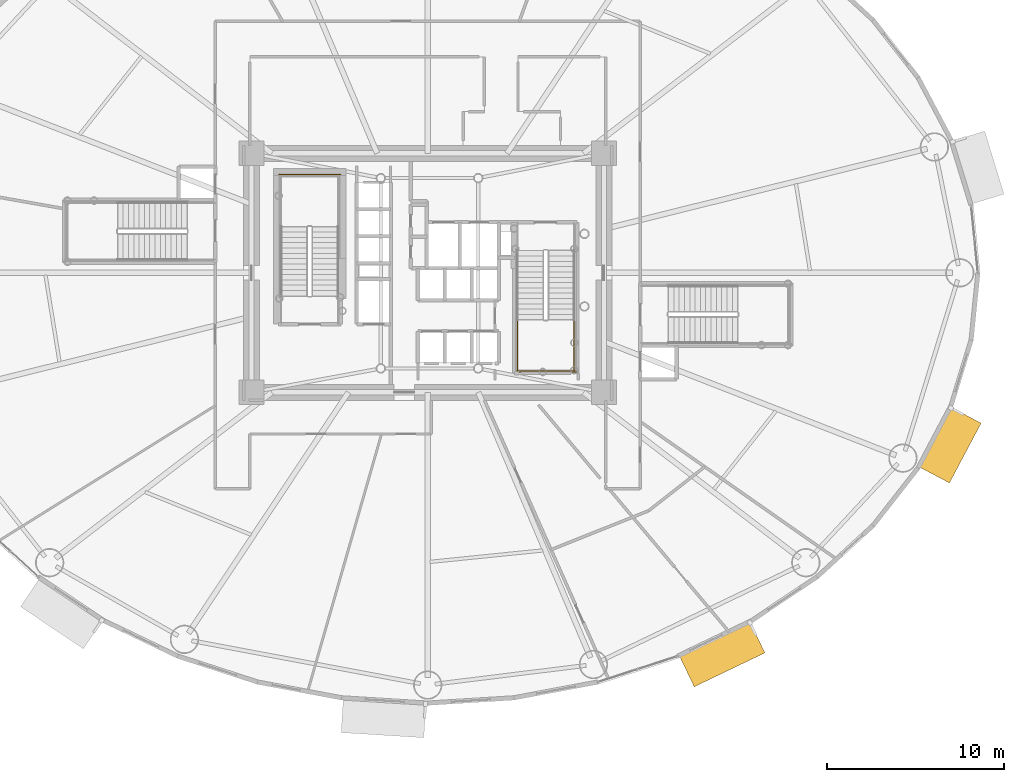
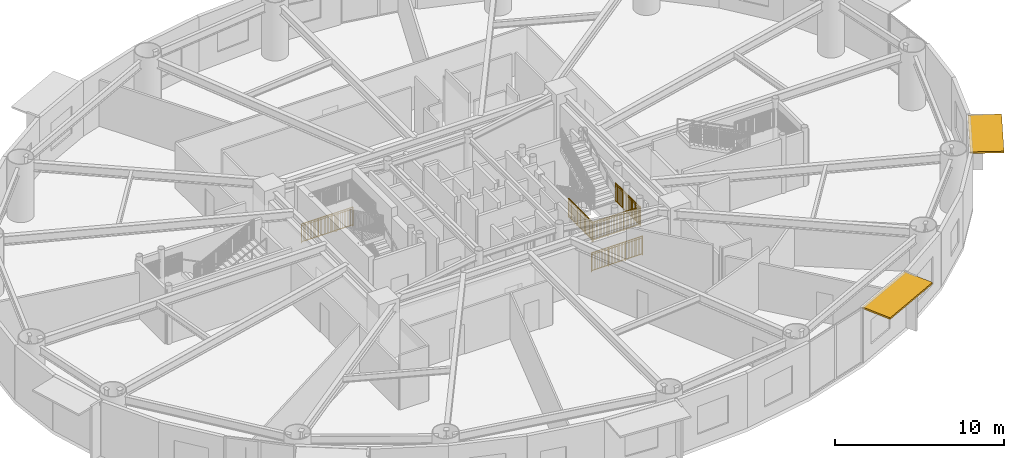
# One storey, part 23 of 28: 5 railings, 2 shading devices.
"""IFC4 building model written with IfcOpenShell, lengths in metres."""

from ifc_helpers import new_model, si_unit, direction, frame, origin, origin_2d, place, context, subcontext, project, spatial, rectangle, extrude, source, transform, mapped, material, layer, layer_set, type_object, element, save


model = new_model("IFC4")

# Units and contexts
model_context = context("Model", 3, precision=1e-05, world=origin(), true_north=direction((0.0, 1.0)))
body_context = subcontext(model_context, "Body", "Model", "MODEL_VIEW")
ifc_project = project(units=[si_unit("LENGTHUNIT", "METRE"), si_unit("AREAUNIT", "SQUARE_METRE"), si_unit("VOLUMEUNIT", "CUBIC_METRE"), si_unit("PLANEANGLEUNIT", "RADIAN"), si_unit("MASSUNIT", "GRAM", prefix="KILO")], contexts=[model_context])

# Site, building, storey
site_placement = place(None, origin())
site = spatial("IfcSite", under=ifc_project, at=site_placement, CompositionType="ELEMENT")
building_placement = place(site_placement, origin())
building = spatial("IfcBuilding", under=site, at=building_placement, Name="Linh Dai School and Residence Tower", CompositionType="ELEMENT")
storey_placement = place(building_placement, frame((0.0, 0.0, 36.60009765625)))
storey = spatial("IfcBuildingStorey", under=building, at=storey_placement, Name="L08", CompositionType="ELEMENT", Elevation=36.60009765625)

# Shading devices
ifc_material_1 = material(Name="Terracotta Ceramic Sunshade", Category="masonry")
ifc_layer = layer(ifc_material_1, 0.1201171875)
ifc_layer_set = layer_set([ifc_layer], Name="Terracotta Ceramic Sunshade")
shading_device_type = type_object("IfcShadingDeviceType", Name="SHD-TC-2000", PredefinedType="USERDEFINED", material=ifc_layer_set)
shared_shape_1 = source(origin(), body_context, "Body", "SweptSolid", [
    extrude(rectangle(XDim=4.428466796875, YDim=2.0, at=origin_2d()), origin(), (0.0, 0.0, 1.0), 0.1201171875),
])
shading_device_1_placement = place(storey_placement, frame((52.613037109375, 5.48095703125, 3.809814453125), z_axis=(0.0, 0.0, 1.0), x_axis=(-0.901584514626, -0.432603008528, 0.0)))
element("IfcShadingDevice", 1, at=shading_device_1_placement, inside=storey, type_object=shading_device_type, Name="L08 Terracotta Horizontal Sunshade Band 34", ObjectType="SUNSHADE", PredefinedType="USERDEFINED", context=body_context, shape_type="MappedRepresentation", body=[
    mapped(shared_shape_1, transform((0.0, 0.0, 0.0), x_axis=(1.0, 0.0, 0.0), y_axis=(0.0, 1.0, 0.0), z_axis=(0.0, 0.0, 1.0), scale=1.0)),
])
shared_shape_2 = source(origin(), body_context, "Body", "SweptSolid", [
    extrude(rectangle(XDim=3.824462890625, YDim=2.0, at=origin_2d()), origin(), (0.0, 0.0, 1.0), 0.1201171875),
])
shading_device_2_placement = place(storey_placement, frame((65.474609375, 17.2890625, 3.809814453125), z_axis=(0.0, 0.0, 1.0), x_axis=(-0.467611940042, -0.883933862645, 0.0)))
element("IfcShadingDevice", 2, at=shading_device_2_placement, inside=storey, type_object=shading_device_type, Name="L08 Terracotta Horizontal Sunshade Band 38", ObjectType="SUNSHADE", PredefinedType="USERDEFINED", context=body_context, shape_type="MappedRepresentation", body=[
    mapped(shared_shape_2, transform((0.0, 0.0, 0.0), x_axis=(1.0, 0.0, 0.0), y_axis=(0.0, 1.0, 0.0), z_axis=(0.0, 0.0, 1.0), scale=1.0)),
])

# Railings
ifc_material_2 = material(Name="Structural Steel S355JR", Category="steel")
railing_type = type_object("IfcRailingType", Name="RL-ST-GUARD-1400", PredefinedType="GUARDRAIL", material=ifc_material_2)
shared_shape_3 = source(origin(), body_context, "Body", "SweptSolid", [
    extrude(rectangle(XDim=0.048095703125, YDim=0.048095703125, at=origin_2d()), frame((0.0, 0.0, 1.3759765625), z_axis=(-1.0, 0.0, 0.0), x_axis=(0.0, -1.0, 0.0)), (0.0, 0.0, 1.0), 3.5),
    extrude(rectangle(XDim=0.048095703125, YDim=0.048095703125, at=origin_2d()), frame((0.0, 0.0, 0.10009765625), z_axis=(-1.0, 0.0, 0.0), x_axis=(0.0, -1.0, 0.0)), (0.0, 0.0, 1.0), 3.5),
    extrude(rectangle(XDim=0.030029296875, YDim=0.030029296875, at=origin_2d()), frame((0.0, 0.0, 1.239990234375), z_axis=(-1.0, 0.0, 0.0), x_axis=(0.0, -1.0, 0.0)), (0.0, 0.0, 1.0), 3.5),
    extrude(rectangle(XDim=0.02001953125, YDim=0.02001953125, at=origin_2d()), frame((-0.09716796875, 0.0, 0.10009765625)), (0.0, 0.0, 1.0), 1.251708984375),
    extrude(rectangle(XDim=0.02001953125, YDim=0.02001953125, at=origin_2d()), frame((-0.1943359375, 0.0, 0.10009765625)), (0.0, 0.0, 1.0), 1.251708984375),
    extrude(rectangle(XDim=0.02001953125, YDim=0.02001953125, at=origin_2d()), frame((-0.291748046875, 0.0, 0.10009765625)), (0.0, 0.0, 1.0), 1.251708984375),
    extrude(rectangle(XDim=0.02001953125, YDim=0.02001953125, at=origin_2d()), frame((-0.388916015625, 0.0, 0.10009765625)), (0.0, 0.0, 1.0), 1.251708984375),
    extrude(rectangle(XDim=0.02001953125, YDim=0.02001953125, at=origin_2d()), frame((-0.486083984375, 0.0, 0.10009765625)), (0.0, 0.0, 1.0), 1.251708984375),
    extrude(rectangle(XDim=0.02001953125, YDim=0.02001953125, at=origin_2d()), frame((-0.583251953125, 0.0, 0.10009765625)), (0.0, 0.0, 1.0), 1.251708984375),
    extrude(rectangle(XDim=0.02001953125, YDim=0.02001953125, at=origin_2d()), frame((-0.6806640625, 0.0, 0.10009765625)), (0.0, 0.0, 1.0), 1.251708984375),
    extrude(rectangle(XDim=0.02001953125, YDim=0.02001953125, at=origin_2d()), frame((-0.77783203125, 0.0, 0.10009765625)), (0.0, 0.0, 1.0), 1.251708984375),
    extrude(rectangle(XDim=0.02001953125, YDim=0.02001953125, at=origin_2d()), frame((-0.875, 0.0, 0.10009765625)), (0.0, 0.0, 1.0), 1.251708984375),
    extrude(rectangle(XDim=0.02001953125, YDim=0.02001953125, at=origin_2d()), frame((-0.97216796875, 0.0, 0.10009765625)), (0.0, 0.0, 1.0), 1.251708984375),
    extrude(rectangle(XDim=0.02001953125, YDim=0.02001953125, at=origin_2d()), frame((-1.0693359375, 0.0, 0.10009765625)), (0.0, 0.0, 1.0), 1.251708984375),
    extrude(rectangle(XDim=0.02001953125, YDim=0.02001953125, at=origin_2d()), frame((-1.263916015625, 0.0, 0.10009765625)), (0.0, 0.0, 1.0), 1.251708984375),
    extrude(rectangle(XDim=0.02001953125, YDim=0.02001953125, at=origin_2d()), frame((-1.361083984375, 0.0, 0.10009765625)), (0.0, 0.0, 1.0), 1.251708984375),
    extrude(rectangle(XDim=0.02001953125, YDim=0.02001953125, at=origin_2d()), frame((-1.458251953125, 0.0, 0.10009765625)), (0.0, 0.0, 1.0), 1.251708984375),
    extrude(rectangle(XDim=0.02001953125, YDim=0.02001953125, at=origin_2d()), frame((-1.5556640625, 0.0, 0.10009765625)), (0.0, 0.0, 1.0), 1.251708984375),
    extrude(rectangle(XDim=0.02001953125, YDim=0.02001953125, at=origin_2d()), frame((-1.65283203125, 0.0, 0.10009765625)), (0.0, 0.0, 1.0), 1.251708984375),
    extrude(rectangle(XDim=0.02001953125, YDim=0.02001953125, at=origin_2d()), frame((-1.75, 0.0, 0.10009765625)), (0.0, 0.0, 1.0), 1.251708984375),
    extrude(rectangle(XDim=0.02001953125, YDim=0.02001953125, at=origin_2d()), frame((-1.84716796875, 0.0, 0.10009765625)), (0.0, 0.0, 1.0), 1.251708984375),
    extrude(rectangle(XDim=0.02001953125, YDim=0.02001953125, at=origin_2d()), frame((-1.9443359375, 0.0, 0.10009765625)), (0.0, 0.0, 1.0), 1.251708984375),
    extrude(rectangle(XDim=0.02001953125, YDim=0.02001953125, at=origin_2d()), frame((-2.041748046875, 0.0, 0.10009765625)), (0.0, 0.0, 1.0), 1.251708984375),
    extrude(rectangle(XDim=0.02001953125, YDim=0.02001953125, at=origin_2d()), frame((-2.138916015625, 0.0, 0.10009765625)), (0.0, 0.0, 1.0), 1.251708984375),
    extrude(rectangle(XDim=0.02001953125, YDim=0.02001953125, at=origin_2d()), frame((-2.236083984375, 0.0, 0.10009765625)), (0.0, 0.0, 1.0), 1.251708984375),
    extrude(rectangle(XDim=0.02001953125, YDim=0.02001953125, at=origin_2d()), frame((-2.4306640625, 0.0, 0.10009765625)), (0.0, 0.0, 1.0), 1.251708984375),
    extrude(rectangle(XDim=0.02001953125, YDim=0.02001953125, at=origin_2d()), frame((-2.52783203125, 0.0, 0.10009765625)), (0.0, 0.0, 1.0), 1.251708984375),
    extrude(rectangle(XDim=0.02001953125, YDim=0.02001953125, at=origin_2d()), frame((-2.625, 0.0, 0.10009765625)), (0.0, 0.0, 1.0), 1.251708984375),
    extrude(rectangle(XDim=0.02001953125, YDim=0.02001953125, at=origin_2d()), frame((-2.72216796875, 0.0, 0.10009765625)), (0.0, 0.0, 1.0), 1.251708984375),
    extrude(rectangle(XDim=0.02001953125, YDim=0.02001953125, at=origin_2d()), frame((-2.8193359375, 0.0, 0.10009765625)), (0.0, 0.0, 1.0), 1.251708984375),
    extrude(rectangle(XDim=0.02001953125, YDim=0.02001953125, at=origin_2d()), frame((-2.916748046875, 0.0, 0.10009765625)), (0.0, 0.0, 1.0), 1.251708984375),
    extrude(rectangle(XDim=0.02001953125, YDim=0.02001953125, at=origin_2d()), frame((-3.013916015625, 0.0, 0.10009765625)), (0.0, 0.0, 1.0), 1.251708984375),
    extrude(rectangle(XDim=0.02001953125, YDim=0.02001953125, at=origin_2d()), frame((-3.111083984375, 0.0, 0.10009765625)), (0.0, 0.0, 1.0), 1.251708984375),
    extrude(rectangle(XDim=0.02001953125, YDim=0.02001953125, at=origin_2d()), frame((-3.208251953125, 0.0, 0.10009765625)), (0.0, 0.0, 1.0), 1.251708984375),
    extrude(rectangle(XDim=0.02001953125, YDim=0.02001953125, at=origin_2d()), frame((-3.3056640625, 0.0, 0.10009765625)), (0.0, 0.0, 1.0), 1.251708984375),
    extrude(rectangle(XDim=0.02001953125, YDim=0.02001953125, at=origin_2d()), frame((-3.40283203125, 0.0, 0.10009765625)), (0.0, 0.0, 1.0), 1.251708984375),
    extrude(rectangle(XDim=0.0419921875, YDim=0.0419921875, at=origin_2d()), origin(), (0.0, 0.0, 1.0), 1.3759765625),
    extrude(rectangle(XDim=0.0419921875, YDim=0.0419921875, at=origin_2d()), frame((-1.166748046875, 0.0, 0.0)), (0.0, 0.0, 1.0), 1.3759765625),
    extrude(rectangle(XDim=0.0419921875, YDim=0.0419921875, at=origin_2d()), frame((-2.333251953125, 0.0, 0.0)), (0.0, 0.0, 1.0), 1.3759765625),
    extrude(rectangle(XDim=0.0419921875, YDim=0.0419921875, at=origin_2d()), frame((-3.5, 0.0, 0.0)), (0.0, 0.0, 1.0), 1.3759765625),
])
railing_1_placement = place(storey_placement, frame((31.080078125, 32.550048828125, 0.0)))
element("IfcRailing", 3, at=railing_1_placement, inside=storey, type_object=railing_type, Name="L08 ST1 stair guard 12", PredefinedType="GUARDRAIL", context=body_context, shape_type="MappedRepresentation", body=[
    mapped(shared_shape_3, transform((0.0, 0.0, 0.0), x_axis=(1.0, 0.0, 0.0), y_axis=(0.0, 1.0, 0.0), z_axis=(0.0, 0.0, 1.0), scale=1.0)),
])
shared_shape_4 = source(origin(), body_context, "Body", "SweptSolid", [
    extrude(rectangle(XDim=0.048095703125, YDim=0.048095703125, at=origin_2d()), frame((0.0, 0.0, 1.3759765625), z_axis=(1.0, 0.0, 0.0), x_axis=(0.0, 1.0, 0.0)), (0.0, 0.0, 1.0), 3.300048828125),
    extrude(rectangle(XDim=0.048095703125, YDim=0.048095703125, at=origin_2d()), frame((0.0, 0.0, 0.10009765625), z_axis=(1.0, 0.0, 0.0), x_axis=(0.0, 1.0, 0.0)), (0.0, 0.0, 1.0), 3.300048828125),
    extrude(rectangle(XDim=0.030029296875, YDim=0.030029296875, at=origin_2d()), frame((0.0, 0.0, 1.239990234375), z_axis=(1.0, 0.0, 0.0), x_axis=(0.0, 1.0, 0.0)), (0.0, 0.0, 1.0), 3.300048828125),
    extrude(rectangle(XDim=0.02001953125, YDim=0.02001953125, at=origin_2d()), frame((0.09716796875, 0.0, 0.10009765625)), (0.0, 0.0, 1.0), 1.251708984375),
    extrude(rectangle(XDim=0.02001953125, YDim=0.02001953125, at=origin_2d()), frame((0.194091796875, 0.0, 0.10009765625)), (0.0, 0.0, 1.0), 1.251708984375),
    extrude(rectangle(XDim=0.02001953125, YDim=0.02001953125, at=origin_2d()), frame((0.291259765625, 0.0, 0.10009765625)), (0.0, 0.0, 1.0), 1.251708984375),
    extrude(rectangle(XDim=0.02001953125, YDim=0.02001953125, at=origin_2d()), frame((0.38818359375, 0.0, 0.10009765625)), (0.0, 0.0, 1.0), 1.251708984375),
    extrude(rectangle(XDim=0.02001953125, YDim=0.02001953125, at=origin_2d()), frame((0.4853515625, 0.0, 0.10009765625)), (0.0, 0.0, 1.0), 1.251708984375),
    extrude(rectangle(XDim=0.02001953125, YDim=0.02001953125, at=origin_2d()), frame((0.582275390625, 0.0, 0.10009765625)), (0.0, 0.0, 1.0), 1.251708984375),
    extrude(rectangle(XDim=0.02001953125, YDim=0.02001953125, at=origin_2d()), frame((0.679443359375, 0.0, 0.10009765625)), (0.0, 0.0, 1.0), 1.251708984375),
    extrude(rectangle(XDim=0.02001953125, YDim=0.02001953125, at=origin_2d()), frame((0.7763671875, 0.0, 0.10009765625)), (0.0, 0.0, 1.0), 1.251708984375),
    extrude(rectangle(XDim=0.02001953125, YDim=0.02001953125, at=origin_2d()), frame((0.87353515625, 0.0, 0.10009765625)), (0.0, 0.0, 1.0), 1.251708984375),
    extrude(rectangle(XDim=0.02001953125, YDim=0.02001953125, at=origin_2d()), frame((0.970703125, 0.0, 0.10009765625)), (0.0, 0.0, 1.0), 1.251708984375),
    extrude(rectangle(XDim=0.02001953125, YDim=0.02001953125, at=origin_2d()), frame((1.164794921875, 0.0, 0.10009765625)), (0.0, 0.0, 1.0), 1.251708984375),
    extrude(rectangle(XDim=0.02001953125, YDim=0.02001953125, at=origin_2d()), frame((1.26171875, 0.0, 0.10009765625)), (0.0, 0.0, 1.0), 1.251708984375),
    extrude(rectangle(XDim=0.02001953125, YDim=0.02001953125, at=origin_2d()), frame((1.35888671875, 0.0, 0.10009765625)), (0.0, 0.0, 1.0), 1.251708984375),
    extrude(rectangle(XDim=0.02001953125, YDim=0.02001953125, at=origin_2d()), frame((1.455810546875, 0.0, 0.10009765625)), (0.0, 0.0, 1.0), 1.251708984375),
    extrude(rectangle(XDim=0.02001953125, YDim=0.02001953125, at=origin_2d()), frame((1.552978515625, 0.0, 0.10009765625)), (0.0, 0.0, 1.0), 1.251708984375),
    extrude(rectangle(XDim=0.02001953125, YDim=0.02001953125, at=origin_2d()), frame((1.64990234375, 0.0, 0.10009765625)), (0.0, 0.0, 1.0), 1.251708984375),
    extrude(rectangle(XDim=0.02001953125, YDim=0.02001953125, at=origin_2d()), frame((1.7470703125, 0.0, 0.10009765625)), (0.0, 0.0, 1.0), 1.251708984375),
    extrude(rectangle(XDim=0.02001953125, YDim=0.02001953125, at=origin_2d()), frame((1.84423828125, 0.0, 0.10009765625)), (0.0, 0.0, 1.0), 1.251708984375),
    extrude(rectangle(XDim=0.02001953125, YDim=0.02001953125, at=origin_2d()), frame((1.941162109375, 0.0, 0.10009765625)), (0.0, 0.0, 1.0), 1.251708984375),
    extrude(rectangle(XDim=0.02001953125, YDim=0.02001953125, at=origin_2d()), frame((2.038330078125, 0.0, 0.10009765625)), (0.0, 0.0, 1.0), 1.251708984375),
    extrude(rectangle(XDim=0.02001953125, YDim=0.02001953125, at=origin_2d()), frame((2.13525390625, 0.0, 0.10009765625)), (0.0, 0.0, 1.0), 1.251708984375),
    extrude(rectangle(XDim=0.02001953125, YDim=0.02001953125, at=origin_2d()), frame((2.329345703125, 0.0, 0.10009765625)), (0.0, 0.0, 1.0), 1.251708984375),
    extrude(rectangle(XDim=0.02001953125, YDim=0.02001953125, at=origin_2d()), frame((2.426513671875, 0.0, 0.10009765625)), (0.0, 0.0, 1.0), 1.251708984375),
    extrude(rectangle(XDim=0.02001953125, YDim=0.02001953125, at=origin_2d()), frame((2.523681640625, 0.0, 0.10009765625)), (0.0, 0.0, 1.0), 1.251708984375),
    extrude(rectangle(XDim=0.02001953125, YDim=0.02001953125, at=origin_2d()), frame((2.62060546875, 0.0, 0.10009765625)), (0.0, 0.0, 1.0), 1.251708984375),
    extrude(rectangle(XDim=0.02001953125, YDim=0.02001953125, at=origin_2d()), frame((2.7177734375, 0.0, 0.10009765625)), (0.0, 0.0, 1.0), 1.251708984375),
    extrude(rectangle(XDim=0.02001953125, YDim=0.02001953125, at=origin_2d()), frame((2.814697265625, 0.0, 0.10009765625)), (0.0, 0.0, 1.0), 1.251708984375),
    extrude(rectangle(XDim=0.02001953125, YDim=0.02001953125, at=origin_2d()), frame((2.911865234375, 0.0, 0.10009765625)), (0.0, 0.0, 1.0), 1.251708984375),
    extrude(rectangle(XDim=0.02001953125, YDim=0.02001953125, at=origin_2d()), frame((3.0087890625, 0.0, 0.10009765625)), (0.0, 0.0, 1.0), 1.251708984375),
    extrude(rectangle(XDim=0.02001953125, YDim=0.02001953125, at=origin_2d()), frame((3.10595703125, 0.0, 0.10009765625)), (0.0, 0.0, 1.0), 1.251708984375),
    extrude(rectangle(XDim=0.02001953125, YDim=0.02001953125, at=origin_2d()), frame((3.202880859375, 0.0, 0.10009765625)), (0.0, 0.0, 1.0), 1.251708984375),
    extrude(rectangle(XDim=0.0419921875, YDim=0.0419921875, at=origin_2d()), origin(), (0.0, 0.0, 1.0), 1.3759765625),
    extrude(rectangle(XDim=0.0419921875, YDim=0.0419921875, at=origin_2d()), frame((1.10009765625, 0.0, 0.0)), (0.0, 0.0, 1.0), 1.3759765625),
    extrude(rectangle(XDim=0.0419921875, YDim=0.0419921875, at=origin_2d()), frame((2.199951171875, 0.0, 0.0)), (0.0, 0.0, 1.0), 1.3759765625),
    extrude(rectangle(XDim=0.0419921875, YDim=0.0419921875, at=origin_2d()), frame((3.300048828125, 0.0, 0.0)), (0.0, 0.0, 1.0), 1.3759765625),
])
railing_2_placement = place(storey_placement, frame((41.02001953125, 21.5, 2.099853515625)))
element("IfcRailing", 4, at=railing_2_placement, inside=storey, type_object=railing_type, Name="L08 ST2 stair guard 5", PredefinedType="GUARDRAIL", context=body_context, shape_type="MappedRepresentation", body=[
    mapped(shared_shape_4, transform((0.0, 0.0, 0.0), x_axis=(1.0, 0.0, 0.0), y_axis=(0.0, 1.0, 0.0), z_axis=(0.0, 0.0, 1.0), scale=1.0)),
])
shared_shape_5 = source(origin(), body_context, "Body", "SweptSolid", [
    extrude(rectangle(XDim=0.048095703125, YDim=0.048095703125, at=origin_2d()), frame((0.0, 0.0, 1.3759765625), z_axis=(1.0, 0.0, 0.0), x_axis=(0.0, 1.0, 0.0)), (0.0, 0.0, 1.0), 3.5),
    extrude(rectangle(XDim=0.048095703125, YDim=0.048095703125, at=origin_2d()), frame((0.0, 0.0, 0.10009765625), z_axis=(1.0, 0.0, 0.0), x_axis=(0.0, 1.0, 0.0)), (0.0, 0.0, 1.0), 3.5),
    extrude(rectangle(XDim=0.030029296875, YDim=0.030029296875, at=origin_2d()), frame((0.0, 0.0, 1.239990234375), z_axis=(1.0, 0.0, 0.0), x_axis=(0.0, 1.0, 0.0)), (0.0, 0.0, 1.0), 3.5),
    extrude(rectangle(XDim=0.02001953125, YDim=0.02001953125, at=origin_2d()), frame((0.09716796875, 0.0, 0.10009765625)), (0.0, 0.0, 1.0), 1.251708984375),
    extrude(rectangle(XDim=0.02001953125, YDim=0.02001953125, at=origin_2d()), frame((0.1943359375, 0.0, 0.10009765625)), (0.0, 0.0, 1.0), 1.251708984375),
    extrude(rectangle(XDim=0.02001953125, YDim=0.02001953125, at=origin_2d()), frame((0.291748046875, 0.0, 0.10009765625)), (0.0, 0.0, 1.0), 1.251708984375),
    extrude(rectangle(XDim=0.02001953125, YDim=0.02001953125, at=origin_2d()), frame((0.388916015625, 0.0, 0.10009765625)), (0.0, 0.0, 1.0), 1.251708984375),
    extrude(rectangle(XDim=0.02001953125, YDim=0.02001953125, at=origin_2d()), frame((0.486083984375, 0.0, 0.10009765625)), (0.0, 0.0, 1.0), 1.251708984375),
    extrude(rectangle(XDim=0.02001953125, YDim=0.02001953125, at=origin_2d()), frame((0.583251953125, 0.0, 0.10009765625)), (0.0, 0.0, 1.0), 1.251708984375),
    extrude(rectangle(XDim=0.02001953125, YDim=0.02001953125, at=origin_2d()), frame((0.6806640625, 0.0, 0.10009765625)), (0.0, 0.0, 1.0), 1.251708984375),
    extrude(rectangle(XDim=0.02001953125, YDim=0.02001953125, at=origin_2d()), frame((0.77783203125, 0.0, 0.10009765625)), (0.0, 0.0, 1.0), 1.251708984375),
    extrude(rectangle(XDim=0.02001953125, YDim=0.02001953125, at=origin_2d()), frame((0.875, 0.0, 0.10009765625)), (0.0, 0.0, 1.0), 1.251708984375),
    extrude(rectangle(XDim=0.02001953125, YDim=0.02001953125, at=origin_2d()), frame((0.97216796875, 0.0, 0.10009765625)), (0.0, 0.0, 1.0), 1.251708984375),
    extrude(rectangle(XDim=0.02001953125, YDim=0.02001953125, at=origin_2d()), frame((1.0693359375, 0.0, 0.10009765625)), (0.0, 0.0, 1.0), 1.251708984375),
    extrude(rectangle(XDim=0.02001953125, YDim=0.02001953125, at=origin_2d()), frame((1.263916015625, 0.0, 0.10009765625)), (0.0, 0.0, 1.0), 1.251708984375),
    extrude(rectangle(XDim=0.02001953125, YDim=0.02001953125, at=origin_2d()), frame((1.361083984375, 0.0, 0.10009765625)), (0.0, 0.0, 1.0), 1.251708984375),
    extrude(rectangle(XDim=0.02001953125, YDim=0.02001953125, at=origin_2d()), frame((1.458251953125, 0.0, 0.10009765625)), (0.0, 0.0, 1.0), 1.251708984375),
    extrude(rectangle(XDim=0.02001953125, YDim=0.02001953125, at=origin_2d()), frame((1.5556640625, 0.0, 0.10009765625)), (0.0, 0.0, 1.0), 1.251708984375),
    extrude(rectangle(XDim=0.02001953125, YDim=0.02001953125, at=origin_2d()), frame((1.65283203125, 0.0, 0.10009765625)), (0.0, 0.0, 1.0), 1.251708984375),
    extrude(rectangle(XDim=0.02001953125, YDim=0.02001953125, at=origin_2d()), frame((1.75, 0.0, 0.10009765625)), (0.0, 0.0, 1.0), 1.251708984375),
    extrude(rectangle(XDim=0.02001953125, YDim=0.02001953125, at=origin_2d()), frame((1.84716796875, 0.0, 0.10009765625)), (0.0, 0.0, 1.0), 1.251708984375),
    extrude(rectangle(XDim=0.02001953125, YDim=0.02001953125, at=origin_2d()), frame((1.9443359375, 0.0, 0.10009765625)), (0.0, 0.0, 1.0), 1.251708984375),
    extrude(rectangle(XDim=0.02001953125, YDim=0.02001953125, at=origin_2d()), frame((2.041748046875, 0.0, 0.10009765625)), (0.0, 0.0, 1.0), 1.251708984375),
    extrude(rectangle(XDim=0.02001953125, YDim=0.02001953125, at=origin_2d()), frame((2.138916015625, 0.0, 0.10009765625)), (0.0, 0.0, 1.0), 1.251708984375),
    extrude(rectangle(XDim=0.02001953125, YDim=0.02001953125, at=origin_2d()), frame((2.236083984375, 0.0, 0.10009765625)), (0.0, 0.0, 1.0), 1.251708984375),
    extrude(rectangle(XDim=0.02001953125, YDim=0.02001953125, at=origin_2d()), frame((2.4306640625, 0.0, 0.10009765625)), (0.0, 0.0, 1.0), 1.251708984375),
    extrude(rectangle(XDim=0.02001953125, YDim=0.02001953125, at=origin_2d()), frame((2.52783203125, 0.0, 0.10009765625)), (0.0, 0.0, 1.0), 1.251708984375),
    extrude(rectangle(XDim=0.02001953125, YDim=0.02001953125, at=origin_2d()), frame((2.625, 0.0, 0.10009765625)), (0.0, 0.0, 1.0), 1.251708984375),
    extrude(rectangle(XDim=0.02001953125, YDim=0.02001953125, at=origin_2d()), frame((2.72216796875, 0.0, 0.10009765625)), (0.0, 0.0, 1.0), 1.251708984375),
    extrude(rectangle(XDim=0.02001953125, YDim=0.02001953125, at=origin_2d()), frame((2.8193359375, 0.0, 0.10009765625)), (0.0, 0.0, 1.0), 1.251708984375),
    extrude(rectangle(XDim=0.02001953125, YDim=0.02001953125, at=origin_2d()), frame((2.916748046875, 0.0, 0.10009765625)), (0.0, 0.0, 1.0), 1.251708984375),
    extrude(rectangle(XDim=0.02001953125, YDim=0.02001953125, at=origin_2d()), frame((3.013916015625, 0.0, 0.10009765625)), (0.0, 0.0, 1.0), 1.251708984375),
    extrude(rectangle(XDim=0.02001953125, YDim=0.02001953125, at=origin_2d()), frame((3.111083984375, 0.0, 0.10009765625)), (0.0, 0.0, 1.0), 1.251708984375),
    extrude(rectangle(XDim=0.02001953125, YDim=0.02001953125, at=origin_2d()), frame((3.208251953125, 0.0, 0.10009765625)), (0.0, 0.0, 1.0), 1.251708984375),
    extrude(rectangle(XDim=0.02001953125, YDim=0.02001953125, at=origin_2d()), frame((3.3056640625, 0.0, 0.10009765625)), (0.0, 0.0, 1.0), 1.251708984375),
    extrude(rectangle(XDim=0.02001953125, YDim=0.02001953125, at=origin_2d()), frame((3.40283203125, 0.0, 0.10009765625)), (0.0, 0.0, 1.0), 1.251708984375),
    extrude(rectangle(XDim=0.0419921875, YDim=0.0419921875, at=origin_2d()), origin(), (0.0, 0.0, 1.0), 1.3759765625),
    extrude(rectangle(XDim=0.0419921875, YDim=0.0419921875, at=origin_2d()), frame((1.166748046875, 0.0, 0.0)), (0.0, 0.0, 1.0), 1.3759765625),
    extrude(rectangle(XDim=0.0419921875, YDim=0.0419921875, at=origin_2d()), frame((2.333251953125, 0.0, 0.0)), (0.0, 0.0, 1.0), 1.3759765625),
    extrude(rectangle(XDim=0.0419921875, YDim=0.0419921875, at=origin_2d()), frame((3.5, 0.0, 0.0)), (0.0, 0.0, 1.0), 1.3759765625),
])
railing_3_placement = place(storey_placement, frame((40.919921875, 21.39990234375, 0.0)))
element("IfcRailing", 5, at=railing_3_placement, inside=storey, type_object=railing_type, Name="L08 ST2 stair guard 12", PredefinedType="GUARDRAIL", context=body_context, shape_type="MappedRepresentation", body=[
    mapped(shared_shape_5, transform((0.0, 0.0, 0.0), x_axis=(1.0, 0.0, 0.0), y_axis=(0.0, 1.0, 0.0), z_axis=(0.0, 0.0, 1.0), scale=1.0)),
])
shared_shape_6 = source(origin(), body_context, "Body", "SweptSolid", [
    extrude(rectangle(XDim=0.048095703125, YDim=0.048095703125, at=origin_2d()), frame((0.0, 0.0, 1.3759765625), z_axis=(0.0, -1.0, 0.0), x_axis=(1.0, 0.0, 0.0)), (0.0, 0.0, 1.0), 2.900146484375),
    extrude(rectangle(XDim=0.048095703125, YDim=0.048095703125, at=origin_2d()), frame((0.0, 0.0, 0.10009765625), z_axis=(0.0, -1.0, 0.0), x_axis=(1.0, 0.0, 0.0)), (0.0, 0.0, 1.0), 2.900146484375),
    extrude(rectangle(XDim=0.030029296875, YDim=0.030029296875, at=origin_2d()), frame((0.0, 0.0, 1.239990234375), z_axis=(0.0, -1.0, 0.0), x_axis=(1.0, 0.0, 0.0)), (0.0, 0.0, 1.0), 2.900146484375),
    extrude(rectangle(XDim=0.02001953125, YDim=0.02001953125, at=origin_2d()), frame((0.0, -0.0966796875, 0.10009765625)), (0.0, 0.0, 1.0), 1.251708984375),
    extrude(rectangle(XDim=0.02001953125, YDim=0.02001953125, at=origin_2d()), frame((0.0, -0.193359375, 0.10009765625)), (0.0, 0.0, 1.0), 1.251708984375),
    extrude(rectangle(XDim=0.02001953125, YDim=0.02001953125, at=origin_2d()), frame((0.0, -0.2900390625, 0.10009765625)), (0.0, 0.0, 1.0), 1.251708984375),
    extrude(rectangle(XDim=0.02001953125, YDim=0.02001953125, at=origin_2d()), frame((0.0, -0.38671875, 0.10009765625)), (0.0, 0.0, 1.0), 1.251708984375),
    extrude(rectangle(XDim=0.02001953125, YDim=0.02001953125, at=origin_2d()), frame((0.0, -0.4833984375, 0.10009765625)), (0.0, 0.0, 1.0), 1.251708984375),
    extrude(rectangle(XDim=0.02001953125, YDim=0.02001953125, at=origin_2d()), frame((0.0, -0.580078125, 0.10009765625)), (0.0, 0.0, 1.0), 1.251708984375),
    extrude(rectangle(XDim=0.02001953125, YDim=0.02001953125, at=origin_2d()), frame((0.0, -0.6767578125, 0.10009765625)), (0.0, 0.0, 1.0), 1.251708984375),
    extrude(rectangle(XDim=0.02001953125, YDim=0.02001953125, at=origin_2d()), frame((0.0, -0.7734375, 0.10009765625)), (0.0, 0.0, 1.0), 1.251708984375),
    extrude(rectangle(XDim=0.02001953125, YDim=0.02001953125, at=origin_2d()), frame((0.0, -0.8701171875, 0.10009765625)), (0.0, 0.0, 1.0), 1.251708984375),
    extrude(rectangle(XDim=0.02001953125, YDim=0.02001953125, at=origin_2d()), frame((0.0, -1.0634765625, 0.10009765625)), (0.0, 0.0, 1.0), 1.251708984375),
    extrude(rectangle(XDim=0.02001953125, YDim=0.02001953125, at=origin_2d()), frame((0.0, -1.16015625, 0.10009765625)), (0.0, 0.0, 1.0), 1.251708984375),
    extrude(rectangle(XDim=0.02001953125, YDim=0.02001953125, at=origin_2d()), frame((0.0, -1.2568359375, 0.10009765625)), (0.0, 0.0, 1.0), 1.251708984375),
    extrude(rectangle(XDim=0.02001953125, YDim=0.02001953125, at=origin_2d()), frame((0.0, -1.353515625, 0.10009765625)), (0.0, 0.0, 1.0), 1.251708984375),
    extrude(rectangle(XDim=0.02001953125, YDim=0.02001953125, at=origin_2d()), frame((0.0, -1.4501953125, 0.10009765625)), (0.0, 0.0, 1.0), 1.251708984375),
    extrude(rectangle(XDim=0.02001953125, YDim=0.02001953125, at=origin_2d()), frame((0.0, -1.546630859375, 0.10009765625)), (0.0, 0.0, 1.0), 1.251708984375),
    extrude(rectangle(XDim=0.02001953125, YDim=0.02001953125, at=origin_2d()), frame((0.0, -1.643310546875, 0.10009765625)), (0.0, 0.0, 1.0), 1.251708984375),
    extrude(rectangle(XDim=0.02001953125, YDim=0.02001953125, at=origin_2d()), frame((0.0, -1.739990234375, 0.10009765625)), (0.0, 0.0, 1.0), 1.251708984375),
    extrude(rectangle(XDim=0.02001953125, YDim=0.02001953125, at=origin_2d()), frame((0.0, -1.836669921875, 0.10009765625)), (0.0, 0.0, 1.0), 1.251708984375),
    extrude(rectangle(XDim=0.02001953125, YDim=0.02001953125, at=origin_2d()), frame((0.0, -2.030029296875, 0.10009765625)), (0.0, 0.0, 1.0), 1.251708984375),
    extrude(rectangle(XDim=0.02001953125, YDim=0.02001953125, at=origin_2d()), frame((0.0, -2.126708984375, 0.10009765625)), (0.0, 0.0, 1.0), 1.251708984375),
    extrude(rectangle(XDim=0.02001953125, YDim=0.02001953125, at=origin_2d()), frame((0.0, -2.223388671875, 0.10009765625)), (0.0, 0.0, 1.0), 1.251708984375),
    extrude(rectangle(XDim=0.02001953125, YDim=0.02001953125, at=origin_2d()), frame((0.0, -2.320068359375, 0.10009765625)), (0.0, 0.0, 1.0), 1.251708984375),
    extrude(rectangle(XDim=0.02001953125, YDim=0.02001953125, at=origin_2d()), frame((0.0, -2.416748046875, 0.10009765625)), (0.0, 0.0, 1.0), 1.251708984375),
    extrude(rectangle(XDim=0.02001953125, YDim=0.02001953125, at=origin_2d()), frame((0.0, -2.513427734375, 0.10009765625)), (0.0, 0.0, 1.0), 1.251708984375),
    extrude(rectangle(XDim=0.02001953125, YDim=0.02001953125, at=origin_2d()), frame((0.0, -2.610107421875, 0.10009765625)), (0.0, 0.0, 1.0), 1.251708984375),
    extrude(rectangle(XDim=0.02001953125, YDim=0.02001953125, at=origin_2d()), frame((0.0, -2.706787109375, 0.10009765625)), (0.0, 0.0, 1.0), 1.251708984375),
    extrude(rectangle(XDim=0.02001953125, YDim=0.02001953125, at=origin_2d()), frame((0.0, -2.803466796875, 0.10009765625)), (0.0, 0.0, 1.0), 1.251708984375),
    extrude(rectangle(XDim=0.0419921875, YDim=0.0419921875, at=origin_2d()), origin(), (0.0, 0.0, 1.0), 1.3759765625),
    extrude(rectangle(XDim=0.0419921875, YDim=0.0419921875, at=origin_2d()), frame((0.0, -0.966796875, 0.0)), (0.0, 0.0, 1.0), 1.3759765625),
    extrude(rectangle(XDim=0.0419921875, YDim=0.0419921875, at=origin_2d()), frame((0.0, -1.933349609375, 0.0)), (0.0, 0.0, 1.0), 1.3759765625),
    extrude(rectangle(XDim=0.0419921875, YDim=0.0419921875, at=origin_2d()), frame((0.0, -2.900146484375, 0.0)), (0.0, 0.0, 1.0), 1.3759765625),
])
for number, where, name in (
    (6, (41.070068359375, 24.35009765625, 2.099853515625), "L08 ST2 stair guard 3"),
    (7, (44.27001953125, 24.35009765625, 2.099853515625), "L08 ST2 stair guard 4"),
):
    element("IfcRailing", number, at=place(storey_placement, frame(where)), inside=storey, type_object=railing_type, Name=name, PredefinedType="GUARDRAIL", context=body_context, shape_type="MappedRepresentation", body=[
        mapped(shared_shape_6, transform((0.0, 0.0, 0.0), x_axis=(1.0, 0.0, 0.0), y_axis=(0.0, 1.0, 0.0), z_axis=(0.0, 0.0, 1.0), scale=1.0)),
    ])

save(model, "model.ifc")
